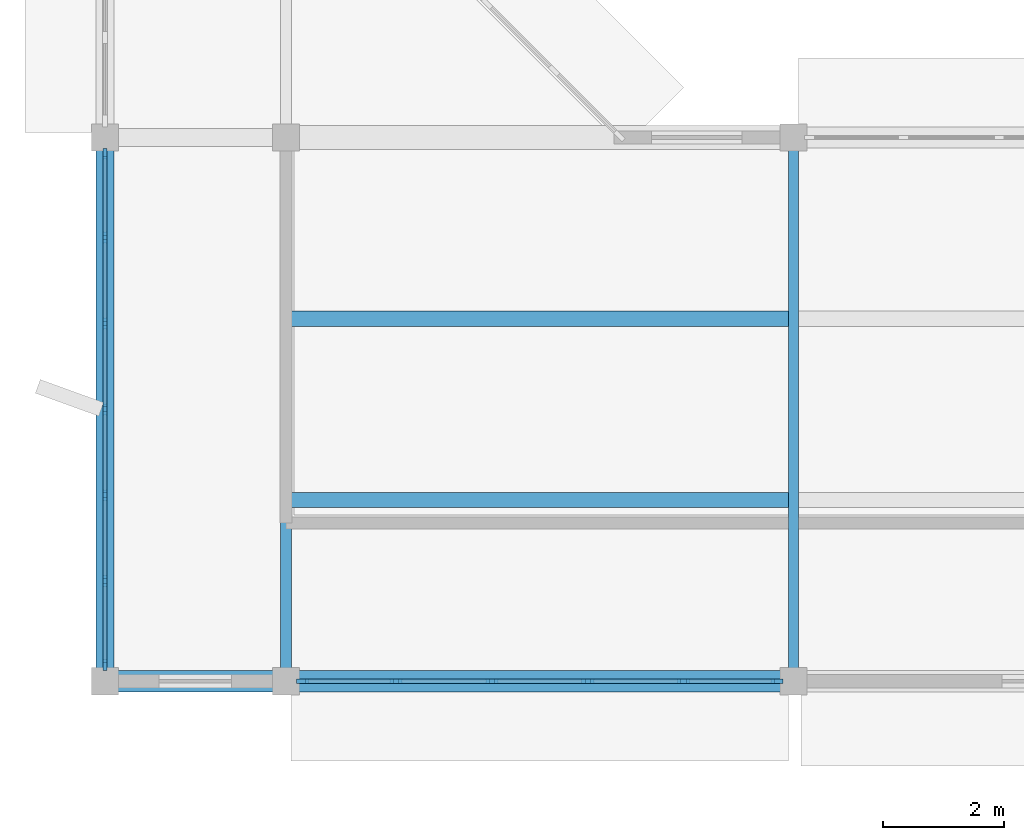
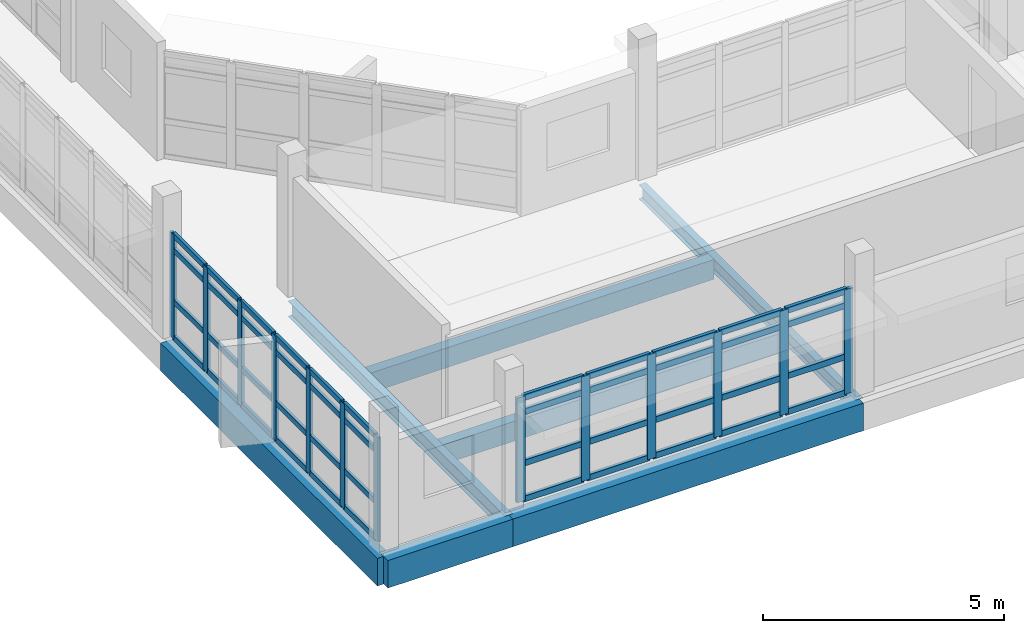
# One storey, part 2 of 42: 57 members, 7 beams, 2 elements without a shape of their own.
"""IFC4 building model written with IfcOpenShell, lengths in metres."""

from ifc_helpers import new_model, si_unit, direction, frame, origin, origin_2d, place, context, subcontext, project, spatial, rectangle, i_section, extrude, material, material_profile, profile_set, type_object, element, aggregate, save


model = new_model("IFC4")

# Units and contexts
model_context = context("Model", 3, precision=1e-05, world=origin(), true_north=direction((0.0, 1.0)))
body_context = subcontext(model_context, "Body", "Model", "MODEL_VIEW")
ifc_project = project(units=[si_unit("LENGTHUNIT", "METRE"), si_unit("AREAUNIT", "SQUARE_METRE"), si_unit("VOLUMEUNIT", "CUBIC_METRE"), si_unit("PLANEANGLEUNIT", "RADIAN"), si_unit("MASSUNIT", "GRAM", prefix="KILO")], contexts=[model_context])

# Site, building, storey
site_placement = place(None, origin())
site = spatial("IfcSite", under=ifc_project, at=site_placement, CompositionType="ELEMENT")
building_placement = place(site_placement, origin())
building = spatial("IfcBuilding", under=site, at=building_placement, Name="Vanh Quang Courtyard School", CompositionType="ELEMENT")
storey_placement = place(building_placement, frame((0.0, 0.0, 15.0)))
storey = spatial("IfcBuildingStorey", under=building, at=storey_placement, Name="L04", CompositionType="ELEMENT", Elevation=15.0)

# Beams
ifc_material_1 = material(Name="Concrete C35/45", Category="concrete")
ifc_material_profile_1 = material_profile(ifc_material_1, rectangle(XDim=0.35009765625, YDim=0.699951171875, at=origin_2d()), Name="RC-BM 350x700")
ifc_profile_set_1 = profile_set([ifc_material_profile_1], Name="Concrete C35/45")
beam_type_1 = type_object("IfcBeamType", Name="BM-RC-350x700", PredefinedType="BEAM", material=ifc_profile_set_1)
beam_1_placement = place(storey_placement, frame((37.800048828125, 32.39990234375, -0.610107421875), z_axis=(1.0, 0.0, 0.0), x_axis=(0.0, 1.0, 0.0)))
element("IfcBeam", 1, at=beam_1_placement, inside=storey, type_object=beam_type_1, Name="Beam B-04 (L04)", PredefinedType="BEAM", context=body_context, shape_type="SweptSolid", body=[
    extrude(rectangle(XDim=0.35009765625, YDim=0.699951171875, at=origin_2d()), origin(), (0.0, 0.0, 1.0), 3.0),
])
beam_2_placement = place(storey_placement, frame((40.800048828125, 32.39990234375, -0.610107421875), z_axis=(1.0, 0.0, 0.0), x_axis=(0.0, 1.0, 0.0)))
element("IfcBeam", 2, at=beam_2_placement, inside=storey, type_object=beam_type_1, Name="Beam B-04 (L04)", PredefinedType="BEAM", context=body_context, shape_type="SweptSolid", body=[
    extrude(rectangle(XDim=0.35009765625, YDim=0.699951171875, at=origin_2d()), origin(), (0.0, 0.0, 1.0), 8.39990234375),
])
ifc_material_profile_2 = material_profile(ifc_material_1, rectangle(XDim=0.300048828125, YDim=0.699951171875, at=origin_2d()), Name="RC-SP 300x700")
ifc_profile_set_2 = profile_set([ifc_material_profile_2], Name="Concrete C35/45")
beam_type_2 = type_object("IfcBeamType", Name="BM-SP-300x700", PredefinedType="SPANDREL", material=ifc_profile_set_2)
beam_3_placement = place(storey_placement, frame((37.800048828125, 32.39990234375, -0.610107421875), z_axis=(0.0, 1.0, 0.0), x_axis=(-1.0, 0.0, 0.0)))
element("IfcBeam", 3, at=beam_3_placement, inside=storey, type_object=beam_type_2, Name="Beam BS-01 (L04)", PredefinedType="SPANDREL", context=body_context, shape_type="SweptSolid", body=[
    extrude(rectangle(XDim=0.300048828125, YDim=0.699951171875, at=origin_2d()), origin(), (0.0, 0.0, 1.0), 9.0),
])
ifc_material_2 = material(Name="Structural steel EN 10025-2 S355J2", Category="steel")
ifc_material_profile_3 = material_profile(ifc_material_2, i_section(OverallWidth=0.169921875, OverallDepth=0.360107421875, WebThickness=0.008056640625, FlangeThickness=0.0126953125, FilletRadius=0.01806640625, at=origin_2d()), Name="IPE 360")
ifc_profile_set_3 = profile_set([ifc_material_profile_3], Name="Structural steel EN 10025-2 S355J2")
beam_type_3 = type_object("IfcBeamType", Name="BM-STL-IPE360", PredefinedType="BEAM", material=ifc_profile_set_3)
beam_4_placement = place(storey_placement, frame((49.199951171875, 32.39990234375, -0.43994140625), z_axis=(0.0, 1.0, 0.0), x_axis=(-1.0, 0.0, 0.0)))
element("IfcBeam", 4, at=beam_4_placement, inside=storey, type_object=beam_type_3, Name="Beam SB-06 (L04)", PredefinedType="BEAM", context=body_context, shape_type="SweptSolid", body=[
    extrude(i_section(OverallWidth=0.169921875, OverallDepth=0.360107421875, WebThickness=0.008056640625, FlangeThickness=0.0126953125, FilletRadius=0.01806640625, at=origin_2d()), origin(), (0.0, 0.0, 1.0), 9.0),
])
ifc_material_profile_4 = material_profile(ifc_material_2, i_section(OverallWidth=0.179931640625, OverallDepth=0.39990234375, WebThickness=0.008544921875, FlangeThickness=0.013427734375, FilletRadius=0.02099609375, at=origin_2d()), Name="IPE 400")
ifc_profile_set_4 = profile_set([ifc_material_profile_4], Name="Structural steel EN 10025-2 S355J2")
beam_type_4 = type_object("IfcBeamType", Name="BM-STL-IPE400", PredefinedType="BEAM", material=ifc_profile_set_4)
beam_5_placement = place(storey_placement, frame((40.800048828125, 32.39990234375, -0.4599609375), z_axis=(0.0, 1.0, 0.0), x_axis=(-1.0, 0.0, 0.0)))
element("IfcBeam", 5, at=beam_5_placement, inside=storey, type_object=beam_type_4, Name="Beam SB-05 (L04)", PredefinedType="BEAM", context=body_context, shape_type="SweptSolid", body=[
    extrude(i_section(OverallWidth=0.179931640625, OverallDepth=0.39990234375, WebThickness=0.008544921875, FlangeThickness=0.013427734375, FilletRadius=0.02099609375, at=origin_2d()), origin(), (0.0, 0.0, 1.0), 9.0),
])

# Curtain wall, members
ifc_material_3 = material(Name="Thermally broken aluminium unitised curtain wall", Category="aluminium")
curtain_wall_type_1 = type_object("IfcCurtainWallType", Name="CW-SYS-50", PredefinedType="NOTDEFINED", material=ifc_material_3)
curtain_wall_1_placement = place(storey_placement, origin())
curtain_wall_1 = element("IfcCurtainWall", 6, at=curtain_wall_1_placement, inside=storey, type_object=curtain_wall_type_1, Name="Curtain Wall CW-50 (L04)", PredefinedType="NOTDEFINED")
ifc_material_4 = material(Name="Anodised aluminium 6063-T6", Category="aluminium")
ifc_material_profile_5 = material_profile(ifc_material_4, rectangle(XDim=0.070068359375, YDim=0.179931640625, at=origin_2d()), Name="ALU-MUL 70x180")
ifc_profile_set_5 = profile_set([ifc_material_profile_5], Name="Anodised aluminium 6063-T6")
member_type_1 = type_object("IfcMemberType", Name="CW-MUL-70x180", PredefinedType="MULLION", material=ifc_profile_set_5)
member_1_placement = place(storey_placement, frame((37.800048828125, 32.66796875, 0.0), z_axis=(0.0, 0.0, 1.0), x_axis=(-1.0, 0.0, 0.0)))
member_1 = element("IfcMember", 7, at=member_1_placement, type_object=member_type_1, Name="CW-50 mullion 1", PredefinedType="MULLION", context=body_context, shape_type="SweptSolid", body=[
    extrude(rectangle(XDim=0.070068359375, YDim=0.179931640625, at=origin_2d()), origin(), (0.0, 0.0, 1.0), 2.64990234375),
])
member_2_placement = place(storey_placement, frame((37.800048828125, 34.055419921875, 0.0), z_axis=(0.0, 0.0, 1.0), x_axis=(-1.0, 0.0, 0.0)))
member_2 = element("IfcMember", 8, at=member_2_placement, type_object=member_type_1, Name="CW-50 mullion 2", PredefinedType="MULLION", context=body_context, shape_type="SweptSolid", body=[
    extrude(rectangle(XDim=0.070068359375, YDim=0.179931640625, at=origin_2d()), origin(), (0.0, 0.0, 1.0), 2.64990234375),
])
member_3_placement = place(storey_placement, frame((37.800048828125, 35.477783203125, 0.0), z_axis=(0.0, 0.0, 1.0), x_axis=(-1.0, 0.0, 0.0)))
member_3 = element("IfcMember", 9, at=member_3_placement, type_object=member_type_1, Name="CW-50 mullion 3", PredefinedType="MULLION", context=body_context, shape_type="SweptSolid", body=[
    extrude(rectangle(XDim=0.070068359375, YDim=0.179931640625, at=origin_2d()), origin(), (0.0, 0.0, 1.0), 2.64990234375),
])
member_4_placement = place(storey_placement, frame((37.800048828125, 36.89990234375, 0.0), z_axis=(0.0, 0.0, 1.0), x_axis=(-1.0, 0.0, 0.0)))
member_4 = element("IfcMember", 10, at=member_4_placement, type_object=member_type_1, Name="CW-50 mullion 4", PredefinedType="MULLION", context=body_context, shape_type="SweptSolid", body=[
    extrude(rectangle(XDim=0.070068359375, YDim=0.179931640625, at=origin_2d()), origin(), (0.0, 0.0, 1.0), 2.64990234375),
])
member_5_placement = place(storey_placement, frame((37.800048828125, 38.322265625, 0.0), z_axis=(0.0, 0.0, 1.0), x_axis=(-1.0, 0.0, 0.0)))
member_5 = element("IfcMember", 11, at=member_5_placement, type_object=member_type_1, Name="CW-50 mullion 5", PredefinedType="MULLION", context=body_context, shape_type="SweptSolid", body=[
    extrude(rectangle(XDim=0.070068359375, YDim=0.179931640625, at=origin_2d()), origin(), (0.0, 0.0, 1.0), 2.64990234375),
])
member_6_placement = place(storey_placement, frame((37.800048828125, 39.74462890625, 0.0), z_axis=(0.0, 0.0, 1.0), x_axis=(-1.0, 0.0, 0.0)))
member_6 = element("IfcMember", 12, at=member_6_placement, type_object=member_type_1, Name="CW-50 mullion 6", PredefinedType="MULLION", context=body_context, shape_type="SweptSolid", body=[
    extrude(rectangle(XDim=0.070068359375, YDim=0.179931640625, at=origin_2d()), origin(), (0.0, 0.0, 1.0), 2.64990234375),
])
member_7_placement = place(storey_placement, frame((37.800048828125, 41.132080078125, 0.0), z_axis=(0.0, 0.0, 1.0), x_axis=(-1.0, 0.0, 0.0)))
member_7 = element("IfcMember", 13, at=member_7_placement, type_object=member_type_1, Name="CW-50 mullion 7", PredefinedType="MULLION", context=body_context, shape_type="SweptSolid", body=[
    extrude(rectangle(XDim=0.070068359375, YDim=0.179931640625, at=origin_2d()), origin(), (0.0, 0.0, 1.0), 2.64990234375),
])

curtain_wall_type_2 = type_object("IfcCurtainWallType", Name="CW-SYS-19", PredefinedType="NOTDEFINED", material=ifc_material_3)
curtain_wall_2_placement = place(storey_placement, origin())
curtain_wall_2 = element("IfcCurtainWall", 14, at=curtain_wall_2_placement, inside=storey, type_object=curtain_wall_type_2, Name="Curtain Wall CW-19 (L04)", PredefinedType="NOTDEFINED")
ifc_material_profile_6 = material_profile(ifc_material_4, rectangle(XDim=0.080078125, YDim=0.199951171875, at=origin_2d()), Name="ALU-MUL 80x200")
ifc_profile_set_6 = profile_set([ifc_material_profile_6], Name="Anodised aluminium 6063-T6")
member_type_2 = type_object("IfcMemberType", Name="CW-MUL-80x200", PredefinedType="MULLION", material=ifc_profile_set_6)
member_8_placement = place(storey_placement, frame((48.927001953125, 32.39990234375, 0.0), z_axis=(0.0, 0.0, 1.0), x_axis=(0.0, -1.0, 0.0)))
member_8 = element("IfcMember", 15, at=member_8_placement, type_object=member_type_2, Name="CW-19 mullion 1", PredefinedType="MULLION", context=body_context, shape_type="SweptSolid", body=[
    extrude(rectangle(XDim=0.080078125, YDim=0.199951171875, at=origin_2d()), origin(), (0.0, 0.0, 1.0), 2.64990234375),
])
member_9_placement = place(storey_placement, frame((47.380126953125, 32.39990234375, 0.0), z_axis=(0.0, 0.0, 1.0), x_axis=(0.0, -1.0, 0.0)))
member_9 = element("IfcMember", 16, at=member_9_placement, type_object=member_type_2, Name="CW-19 mullion 2", PredefinedType="MULLION", context=body_context, shape_type="SweptSolid", body=[
    extrude(rectangle(XDim=0.080078125, YDim=0.199951171875, at=origin_2d()), origin(), (0.0, 0.0, 1.0), 2.64990234375),
])
member_10_placement = place(storey_placement, frame((45.79345703125, 32.39990234375, 0.0), z_axis=(0.0, 0.0, 1.0), x_axis=(0.0, -1.0, 0.0)))
member_10 = element("IfcMember", 17, at=member_10_placement, type_object=member_type_2, Name="CW-19 mullion 3", PredefinedType="MULLION", context=body_context, shape_type="SweptSolid", body=[
    extrude(rectangle(XDim=0.080078125, YDim=0.199951171875, at=origin_2d()), origin(), (0.0, 0.0, 1.0), 2.64990234375),
])
member_11_placement = place(storey_placement, frame((44.20654296875, 32.39990234375, 0.0), z_axis=(0.0, 0.0, 1.0), x_axis=(0.0, -1.0, 0.0)))
member_11 = element("IfcMember", 18, at=member_11_placement, type_object=member_type_2, Name="CW-19 mullion 4", PredefinedType="MULLION", context=body_context, shape_type="SweptSolid", body=[
    extrude(rectangle(XDim=0.080078125, YDim=0.199951171875, at=origin_2d()), origin(), (0.0, 0.0, 1.0), 2.64990234375),
])
member_12_placement = place(storey_placement, frame((42.619873046875, 32.39990234375, 0.0), z_axis=(0.0, 0.0, 1.0), x_axis=(0.0, -1.0, 0.0)))
member_12 = element("IfcMember", 19, at=member_12_placement, type_object=member_type_2, Name="CW-19 mullion 5", PredefinedType="MULLION", context=body_context, shape_type="SweptSolid", body=[
    extrude(rectangle(XDim=0.080078125, YDim=0.199951171875, at=origin_2d()), origin(), (0.0, 0.0, 1.0), 2.64990234375),
])
member_13_placement = place(storey_placement, frame((41.072998046875, 32.39990234375, 0.0), z_axis=(0.0, 0.0, 1.0), x_axis=(0.0, -1.0, 0.0)))
member_13 = element("IfcMember", 20, at=member_13_placement, type_object=member_type_2, Name="CW-19 mullion 6", PredefinedType="MULLION", context=body_context, shape_type="SweptSolid", body=[
    extrude(rectangle(XDim=0.080078125, YDim=0.199951171875, at=origin_2d()), origin(), (0.0, 0.0, 1.0), 2.64990234375),
])

# Member
ifc_material_profile_7 = material_profile(ifc_material_4, rectangle(XDim=0.070068359375, YDim=0.139892578125, at=origin_2d()), Name="ALU-TRN 70x140")
ifc_profile_set_7 = profile_set([ifc_material_profile_7], Name="Anodised aluminium 6063-T6")
member_type_3 = type_object("IfcMemberType", Name="CW-TRN-70x140", PredefinedType="USERDEFINED", material=ifc_profile_set_7)
member_14_placement = place(storey_placement, frame((37.800048828125, 32.702880859375, 0.034912109375), z_axis=(0.0, 1.0, 0.0), x_axis=(-1.0, 0.0, 0.0)))
member_14 = element("IfcMember", 21, at=member_14_placement, type_object=member_type_3, Name="CW-50 transom 1.1", ObjectType="TRANSOM", PredefinedType="USERDEFINED", context=body_context, shape_type="SweptSolid", body=[
    extrude(rectangle(XDim=0.070068359375, YDim=0.139892578125, at=origin_2d()), origin(), (0.0, 0.0, 1.0), 1.3173828125),
])

member_15_placement = place(storey_placement, frame((37.800048828125, 32.702880859375, 0.949951171875), z_axis=(0.0, 1.0, 0.0), x_axis=(-1.0, 0.0, 0.0)))
member_15 = element("IfcMember", 22, at=member_15_placement, type_object=member_type_3, Name="CW-50 transom 1.2", ObjectType="TRANSOM", PredefinedType="USERDEFINED", context=body_context, shape_type="SweptSolid", body=[
    extrude(rectangle(XDim=0.070068359375, YDim=0.139892578125, at=origin_2d()), origin(), (0.0, 0.0, 1.0), 1.3173828125),
])

member_16_placement = place(storey_placement, frame((37.800048828125, 32.702880859375, 2.25), z_axis=(0.0, 1.0, 0.0), x_axis=(-1.0, 0.0, 0.0)))
member_16 = element("IfcMember", 23, at=member_16_placement, type_object=member_type_3, Name="CW-50 transom 1.3", ObjectType="TRANSOM", PredefinedType="USERDEFINED", context=body_context, shape_type="SweptSolid", body=[
    extrude(rectangle(XDim=0.070068359375, YDim=0.139892578125, at=origin_2d()), origin(), (0.0, 0.0, 1.0), 1.3173828125),
])

member_17_placement = place(storey_placement, frame((37.800048828125, 32.702880859375, 2.614990234375), z_axis=(0.0, 1.0, 0.0), x_axis=(-1.0, 0.0, 0.0)))
member_17 = element("IfcMember", 24, at=member_17_placement, type_object=member_type_3, Name="CW-50 transom 1.4", ObjectType="TRANSOM", PredefinedType="USERDEFINED", context=body_context, shape_type="SweptSolid", body=[
    extrude(rectangle(XDim=0.070068359375, YDim=0.139892578125, at=origin_2d()), origin(), (0.0, 0.0, 1.0), 1.3173828125),
])

member_18_placement = place(storey_placement, frame((37.800048828125, 34.09033203125, 0.034912109375), z_axis=(0.0, 1.0, 0.0), x_axis=(-1.0, 0.0, 0.0)))
member_18 = element("IfcMember", 25, at=member_18_placement, type_object=member_type_3, Name="CW-50 transom 2.1", ObjectType="TRANSOM", PredefinedType="USERDEFINED", context=body_context, shape_type="SweptSolid", body=[
    extrude(rectangle(XDim=0.070068359375, YDim=0.139892578125, at=origin_2d()), origin(), (0.0, 0.0, 1.0), 1.352294921875),
])

member_19_placement = place(storey_placement, frame((37.800048828125, 34.09033203125, 0.949951171875), z_axis=(0.0, 1.0, 0.0), x_axis=(-1.0, 0.0, 0.0)))
member_19 = element("IfcMember", 26, at=member_19_placement, type_object=member_type_3, Name="CW-50 transom 2.2", ObjectType="TRANSOM", PredefinedType="USERDEFINED", context=body_context, shape_type="SweptSolid", body=[
    extrude(rectangle(XDim=0.070068359375, YDim=0.139892578125, at=origin_2d()), origin(), (0.0, 0.0, 1.0), 1.352294921875),
])

member_20_placement = place(storey_placement, frame((37.800048828125, 34.09033203125, 2.25), z_axis=(0.0, 1.0, 0.0), x_axis=(-1.0, 0.0, 0.0)))
member_20 = element("IfcMember", 27, at=member_20_placement, type_object=member_type_3, Name="CW-50 transom 2.3", ObjectType="TRANSOM", PredefinedType="USERDEFINED", context=body_context, shape_type="SweptSolid", body=[
    extrude(rectangle(XDim=0.070068359375, YDim=0.139892578125, at=origin_2d()), origin(), (0.0, 0.0, 1.0), 1.352294921875),
])

member_21_placement = place(storey_placement, frame((37.800048828125, 34.09033203125, 2.614990234375), z_axis=(0.0, 1.0, 0.0), x_axis=(-1.0, 0.0, 0.0)))
member_21 = element("IfcMember", 28, at=member_21_placement, type_object=member_type_3, Name="CW-50 transom 2.4", ObjectType="TRANSOM", PredefinedType="USERDEFINED", context=body_context, shape_type="SweptSolid", body=[
    extrude(rectangle(XDim=0.070068359375, YDim=0.139892578125, at=origin_2d()), origin(), (0.0, 0.0, 1.0), 1.352294921875),
])

member_22_placement = place(storey_placement, frame((37.800048828125, 35.5126953125, 0.034912109375), z_axis=(0.0, 1.0, 0.0), x_axis=(-1.0, 0.0, 0.0)))
member_22 = element("IfcMember", 29, at=member_22_placement, type_object=member_type_3, Name="CW-50 transom 3.1", ObjectType="TRANSOM", PredefinedType="USERDEFINED", context=body_context, shape_type="SweptSolid", body=[
    extrude(rectangle(XDim=0.070068359375, YDim=0.139892578125, at=origin_2d()), origin(), (0.0, 0.0, 1.0), 1.352294921875),
])

member_23_placement = place(storey_placement, frame((37.800048828125, 35.5126953125, 0.949951171875), z_axis=(0.0, 1.0, 0.0), x_axis=(-1.0, 0.0, 0.0)))
member_23 = element("IfcMember", 30, at=member_23_placement, type_object=member_type_3, Name="CW-50 transom 3.2", ObjectType="TRANSOM", PredefinedType="USERDEFINED", context=body_context, shape_type="SweptSolid", body=[
    extrude(rectangle(XDim=0.070068359375, YDim=0.139892578125, at=origin_2d()), origin(), (0.0, 0.0, 1.0), 1.352294921875),
])

member_24_placement = place(storey_placement, frame((37.800048828125, 35.5126953125, 2.25), z_axis=(0.0, 1.0, 0.0), x_axis=(-1.0, 0.0, 0.0)))
member_24 = element("IfcMember", 31, at=member_24_placement, type_object=member_type_3, Name="CW-50 transom 3.3", ObjectType="TRANSOM", PredefinedType="USERDEFINED", context=body_context, shape_type="SweptSolid", body=[
    extrude(rectangle(XDim=0.070068359375, YDim=0.139892578125, at=origin_2d()), origin(), (0.0, 0.0, 1.0), 1.352294921875),
])

member_25_placement = place(storey_placement, frame((37.800048828125, 35.5126953125, 2.614990234375), z_axis=(0.0, 1.0, 0.0), x_axis=(-1.0, 0.0, 0.0)))
member_25 = element("IfcMember", 32, at=member_25_placement, type_object=member_type_3, Name="CW-50 transom 3.4", ObjectType="TRANSOM", PredefinedType="USERDEFINED", context=body_context, shape_type="SweptSolid", body=[
    extrude(rectangle(XDim=0.070068359375, YDim=0.139892578125, at=origin_2d()), origin(), (0.0, 0.0, 1.0), 1.352294921875),
])

member_26_placement = place(storey_placement, frame((37.800048828125, 36.93505859375, 0.034912109375), z_axis=(0.0, 1.0, 0.0), x_axis=(-1.0, 0.0, 0.0)))
member_26 = element("IfcMember", 33, at=member_26_placement, type_object=member_type_3, Name="CW-50 transom 4.1", ObjectType="TRANSOM", PredefinedType="USERDEFINED", context=body_context, shape_type="SweptSolid", body=[
    extrude(rectangle(XDim=0.070068359375, YDim=0.139892578125, at=origin_2d()), origin(), (0.0, 0.0, 1.0), 1.352294921875),
])

member_27_placement = place(storey_placement, frame((37.800048828125, 36.93505859375, 0.949951171875), z_axis=(0.0, 1.0, 0.0), x_axis=(-1.0, 0.0, 0.0)))
member_27 = element("IfcMember", 34, at=member_27_placement, type_object=member_type_3, Name="CW-50 transom 4.2", ObjectType="TRANSOM", PredefinedType="USERDEFINED", context=body_context, shape_type="SweptSolid", body=[
    extrude(rectangle(XDim=0.070068359375, YDim=0.139892578125, at=origin_2d()), origin(), (0.0, 0.0, 1.0), 1.352294921875),
])

member_28_placement = place(storey_placement, frame((37.800048828125, 36.93505859375, 2.25), z_axis=(0.0, 1.0, 0.0), x_axis=(-1.0, 0.0, 0.0)))
member_28 = element("IfcMember", 35, at=member_28_placement, type_object=member_type_3, Name="CW-50 transom 4.3", ObjectType="TRANSOM", PredefinedType="USERDEFINED", context=body_context, shape_type="SweptSolid", body=[
    extrude(rectangle(XDim=0.070068359375, YDim=0.139892578125, at=origin_2d()), origin(), (0.0, 0.0, 1.0), 1.352294921875),
])

member_29_placement = place(storey_placement, frame((37.800048828125, 36.93505859375, 2.614990234375), z_axis=(0.0, 1.0, 0.0), x_axis=(-1.0, 0.0, 0.0)))
member_29 = element("IfcMember", 36, at=member_29_placement, type_object=member_type_3, Name="CW-50 transom 4.4", ObjectType="TRANSOM", PredefinedType="USERDEFINED", context=body_context, shape_type="SweptSolid", body=[
    extrude(rectangle(XDim=0.070068359375, YDim=0.139892578125, at=origin_2d()), origin(), (0.0, 0.0, 1.0), 1.352294921875),
])

member_30_placement = place(storey_placement, frame((37.800048828125, 38.357421875, 0.034912109375), z_axis=(0.0, 1.0, 0.0), x_axis=(-1.0, 0.0, 0.0)))
member_30 = element("IfcMember", 37, at=member_30_placement, type_object=member_type_3, Name="CW-50 transom 5.1", ObjectType="TRANSOM", PredefinedType="USERDEFINED", context=body_context, shape_type="SweptSolid", body=[
    extrude(rectangle(XDim=0.070068359375, YDim=0.139892578125, at=origin_2d()), origin(), (0.0, 0.0, 1.0), 1.352294921875),
])

member_31_placement = place(storey_placement, frame((37.800048828125, 38.357421875, 0.949951171875), z_axis=(0.0, 1.0, 0.0), x_axis=(-1.0, 0.0, 0.0)))
member_31 = element("IfcMember", 38, at=member_31_placement, type_object=member_type_3, Name="CW-50 transom 5.2", ObjectType="TRANSOM", PredefinedType="USERDEFINED", context=body_context, shape_type="SweptSolid", body=[
    extrude(rectangle(XDim=0.070068359375, YDim=0.139892578125, at=origin_2d()), origin(), (0.0, 0.0, 1.0), 1.352294921875),
])

member_32_placement = place(storey_placement, frame((37.800048828125, 38.357421875, 2.25), z_axis=(0.0, 1.0, 0.0), x_axis=(-1.0, 0.0, 0.0)))
member_32 = element("IfcMember", 39, at=member_32_placement, type_object=member_type_3, Name="CW-50 transom 5.3", ObjectType="TRANSOM", PredefinedType="USERDEFINED", context=body_context, shape_type="SweptSolid", body=[
    extrude(rectangle(XDim=0.070068359375, YDim=0.139892578125, at=origin_2d()), origin(), (0.0, 0.0, 1.0), 1.352294921875),
])

member_33_placement = place(storey_placement, frame((37.800048828125, 38.357421875, 2.614990234375), z_axis=(0.0, 1.0, 0.0), x_axis=(-1.0, 0.0, 0.0)))
member_33 = element("IfcMember", 40, at=member_33_placement, type_object=member_type_3, Name="CW-50 transom 5.4", ObjectType="TRANSOM", PredefinedType="USERDEFINED", context=body_context, shape_type="SweptSolid", body=[
    extrude(rectangle(XDim=0.070068359375, YDim=0.139892578125, at=origin_2d()), origin(), (0.0, 0.0, 1.0), 1.352294921875),
])

member_34_placement = place(storey_placement, frame((37.800048828125, 39.77978515625, 0.034912109375), z_axis=(0.0, 1.0, 0.0), x_axis=(-1.0, 0.0, 0.0)))
member_34 = element("IfcMember", 41, at=member_34_placement, type_object=member_type_3, Name="CW-50 transom 6.1", ObjectType="TRANSOM", PredefinedType="USERDEFINED", context=body_context, shape_type="SweptSolid", body=[
    extrude(rectangle(XDim=0.070068359375, YDim=0.139892578125, at=origin_2d()), origin(), (0.0, 0.0, 1.0), 1.317138671875),
])

member_35_placement = place(storey_placement, frame((37.800048828125, 39.77978515625, 0.949951171875), z_axis=(0.0, 1.0, 0.0), x_axis=(-1.0, 0.0, 0.0)))
member_35 = element("IfcMember", 42, at=member_35_placement, type_object=member_type_3, Name="CW-50 transom 6.2", ObjectType="TRANSOM", PredefinedType="USERDEFINED", context=body_context, shape_type="SweptSolid", body=[
    extrude(rectangle(XDim=0.070068359375, YDim=0.139892578125, at=origin_2d()), origin(), (0.0, 0.0, 1.0), 1.317138671875),
])

member_36_placement = place(storey_placement, frame((37.800048828125, 39.77978515625, 2.25), z_axis=(0.0, 1.0, 0.0), x_axis=(-1.0, 0.0, 0.0)))
member_36 = element("IfcMember", 43, at=member_36_placement, type_object=member_type_3, Name="CW-50 transom 6.3", ObjectType="TRANSOM", PredefinedType="USERDEFINED", context=body_context, shape_type="SweptSolid", body=[
    extrude(rectangle(XDim=0.070068359375, YDim=0.139892578125, at=origin_2d()), origin(), (0.0, 0.0, 1.0), 1.317138671875),
])

member_37_placement = place(storey_placement, frame((37.800048828125, 39.77978515625, 2.614990234375), z_axis=(0.0, 1.0, 0.0), x_axis=(-1.0, 0.0, 0.0)))
member_37 = element("IfcMember", 44, at=member_37_placement, type_object=member_type_3, Name="CW-50 transom 6.4", ObjectType="TRANSOM", PredefinedType="USERDEFINED", context=body_context, shape_type="SweptSolid", body=[
    extrude(rectangle(XDim=0.070068359375, YDim=0.139892578125, at=origin_2d()), origin(), (0.0, 0.0, 1.0), 1.317138671875),
])

aggregate(curtain_wall_1, [member_1, member_2, member_3, member_4, member_5, member_6, member_7, member_14, member_15, member_16, member_17, member_18, member_19, member_20, member_21, member_22, member_23, member_24, member_25, member_26, member_27, member_28, member_29, member_30, member_31, member_32, member_33, member_34, member_35, member_36, member_37])

ifc_material_profile_8 = material_profile(ifc_material_4, rectangle(XDim=0.080078125, YDim=0.14990234375, at=origin_2d()), Name="ALU-TRN 80x150")
ifc_profile_set_8 = profile_set([ifc_material_profile_8], Name="Anodised aluminium 6063-T6")
member_type_4 = type_object("IfcMemberType", Name="CW-TRN-80x150", PredefinedType="USERDEFINED", material=ifc_profile_set_8)
member_38_placement = place(storey_placement, frame((48.886962890625, 32.39990234375, 0.0400390625), z_axis=(-1.0, 0.0, 0.0), x_axis=(0.0, -1.0, 0.0)))
member_38 = element("IfcMember", 45, at=member_38_placement, type_object=member_type_4, Name="CW-19 transom 1.1", ObjectType="TRANSOM", PredefinedType="USERDEFINED", context=body_context, shape_type="SweptSolid", body=[
    extrude(rectangle(XDim=0.080078125, YDim=0.14990234375, at=origin_2d()), origin(), (0.0, 0.0, 1.0), 1.466796875),
])

member_39_placement = place(storey_placement, frame((48.886962890625, 32.39990234375, 0.949951171875), z_axis=(-1.0, 0.0, 0.0), x_axis=(0.0, -1.0, 0.0)))
member_39 = element("IfcMember", 46, at=member_39_placement, type_object=member_type_4, Name="CW-19 transom 1.2", ObjectType="TRANSOM", PredefinedType="USERDEFINED", context=body_context, shape_type="SweptSolid", body=[
    extrude(rectangle(XDim=0.080078125, YDim=0.14990234375, at=origin_2d()), origin(), (0.0, 0.0, 1.0), 1.466796875),
])

member_40_placement = place(storey_placement, frame((48.886962890625, 32.39990234375, 2.25), z_axis=(-1.0, 0.0, 0.0), x_axis=(0.0, -1.0, 0.0)))
member_40 = element("IfcMember", 47, at=member_40_placement, type_object=member_type_4, Name="CW-19 transom 1.3", ObjectType="TRANSOM", PredefinedType="USERDEFINED", context=body_context, shape_type="SweptSolid", body=[
    extrude(rectangle(XDim=0.080078125, YDim=0.14990234375, at=origin_2d()), origin(), (0.0, 0.0, 1.0), 1.466796875),
])

member_41_placement = place(storey_placement, frame((48.886962890625, 32.39990234375, 2.610107421875), z_axis=(-1.0, 0.0, 0.0), x_axis=(0.0, -1.0, 0.0)))
member_41 = element("IfcMember", 48, at=member_41_placement, type_object=member_type_4, Name="CW-19 transom 1.4", ObjectType="TRANSOM", PredefinedType="USERDEFINED", context=body_context, shape_type="SweptSolid", body=[
    extrude(rectangle(XDim=0.080078125, YDim=0.14990234375, at=origin_2d()), origin(), (0.0, 0.0, 1.0), 1.466796875),
])

member_42_placement = place(storey_placement, frame((47.340087890625, 32.39990234375, 0.0400390625), z_axis=(-1.0, 0.0, 0.0), x_axis=(0.0, -1.0, 0.0)))
member_42 = element("IfcMember", 49, at=member_42_placement, type_object=member_type_4, Name="CW-19 transom 2.1", ObjectType="TRANSOM", PredefinedType="USERDEFINED", context=body_context, shape_type="SweptSolid", body=[
    extrude(rectangle(XDim=0.080078125, YDim=0.14990234375, at=origin_2d()), origin(), (0.0, 0.0, 1.0), 1.506591796875),
])

member_43_placement = place(storey_placement, frame((47.340087890625, 32.39990234375, 0.949951171875), z_axis=(-1.0, 0.0, 0.0), x_axis=(0.0, -1.0, 0.0)))
member_43 = element("IfcMember", 50, at=member_43_placement, type_object=member_type_4, Name="CW-19 transom 2.2", ObjectType="TRANSOM", PredefinedType="USERDEFINED", context=body_context, shape_type="SweptSolid", body=[
    extrude(rectangle(XDim=0.080078125, YDim=0.14990234375, at=origin_2d()), origin(), (0.0, 0.0, 1.0), 1.506591796875),
])

member_44_placement = place(storey_placement, frame((47.340087890625, 32.39990234375, 2.25), z_axis=(-1.0, 0.0, 0.0), x_axis=(0.0, -1.0, 0.0)))
member_44 = element("IfcMember", 51, at=member_44_placement, type_object=member_type_4, Name="CW-19 transom 2.3", ObjectType="TRANSOM", PredefinedType="USERDEFINED", context=body_context, shape_type="SweptSolid", body=[
    extrude(rectangle(XDim=0.080078125, YDim=0.14990234375, at=origin_2d()), origin(), (0.0, 0.0, 1.0), 1.506591796875),
])

member_45_placement = place(storey_placement, frame((47.340087890625, 32.39990234375, 2.610107421875), z_axis=(-1.0, 0.0, 0.0), x_axis=(0.0, -1.0, 0.0)))
member_45 = element("IfcMember", 52, at=member_45_placement, type_object=member_type_4, Name="CW-19 transom 2.4", ObjectType="TRANSOM", PredefinedType="USERDEFINED", context=body_context, shape_type="SweptSolid", body=[
    extrude(rectangle(XDim=0.080078125, YDim=0.14990234375, at=origin_2d()), origin(), (0.0, 0.0, 1.0), 1.506591796875),
])

member_46_placement = place(storey_placement, frame((45.75341796875, 32.39990234375, 0.0400390625), z_axis=(-1.0, 0.0, 0.0), x_axis=(0.0, -1.0, 0.0)))
member_46 = element("IfcMember", 53, at=member_46_placement, type_object=member_type_4, Name="CW-19 transom 3.1", ObjectType="TRANSOM", PredefinedType="USERDEFINED", context=body_context, shape_type="SweptSolid", body=[
    extrude(rectangle(XDim=0.080078125, YDim=0.14990234375, at=origin_2d()), origin(), (0.0, 0.0, 1.0), 1.5068359375),
])

member_47_placement = place(storey_placement, frame((45.75341796875, 32.39990234375, 0.949951171875), z_axis=(-1.0, 0.0, 0.0), x_axis=(0.0, -1.0, 0.0)))
member_47 = element("IfcMember", 54, at=member_47_placement, type_object=member_type_4, Name="CW-19 transom 3.2", ObjectType="TRANSOM", PredefinedType="USERDEFINED", context=body_context, shape_type="SweptSolid", body=[
    extrude(rectangle(XDim=0.080078125, YDim=0.14990234375, at=origin_2d()), origin(), (0.0, 0.0, 1.0), 1.5068359375),
])

member_48_placement = place(storey_placement, frame((45.75341796875, 32.39990234375, 2.25), z_axis=(-1.0, 0.0, 0.0), x_axis=(0.0, -1.0, 0.0)))
member_48 = element("IfcMember", 55, at=member_48_placement, type_object=member_type_4, Name="CW-19 transom 3.3", ObjectType="TRANSOM", PredefinedType="USERDEFINED", context=body_context, shape_type="SweptSolid", body=[
    extrude(rectangle(XDim=0.080078125, YDim=0.14990234375, at=origin_2d()), origin(), (0.0, 0.0, 1.0), 1.5068359375),
])

member_49_placement = place(storey_placement, frame((45.75341796875, 32.39990234375, 2.610107421875), z_axis=(-1.0, 0.0, 0.0), x_axis=(0.0, -1.0, 0.0)))
member_49 = element("IfcMember", 56, at=member_49_placement, type_object=member_type_4, Name="CW-19 transom 3.4", ObjectType="TRANSOM", PredefinedType="USERDEFINED", context=body_context, shape_type="SweptSolid", body=[
    extrude(rectangle(XDim=0.080078125, YDim=0.14990234375, at=origin_2d()), origin(), (0.0, 0.0, 1.0), 1.5068359375),
])

member_50_placement = place(storey_placement, frame((44.16650390625, 32.39990234375, 0.0400390625), z_axis=(-1.0, 0.0, 0.0), x_axis=(0.0, -1.0, 0.0)))
member_50 = element("IfcMember", 57, at=member_50_placement, type_object=member_type_4, Name="CW-19 transom 4.1", ObjectType="TRANSOM", PredefinedType="USERDEFINED", context=body_context, shape_type="SweptSolid", body=[
    extrude(rectangle(XDim=0.080078125, YDim=0.14990234375, at=origin_2d()), origin(), (0.0, 0.0, 1.0), 1.506591796875),
])

member_51_placement = place(storey_placement, frame((44.16650390625, 32.39990234375, 0.949951171875), z_axis=(-1.0, 0.0, 0.0), x_axis=(0.0, -1.0, 0.0)))
member_51 = element("IfcMember", 58, at=member_51_placement, type_object=member_type_4, Name="CW-19 transom 4.2", ObjectType="TRANSOM", PredefinedType="USERDEFINED", context=body_context, shape_type="SweptSolid", body=[
    extrude(rectangle(XDim=0.080078125, YDim=0.14990234375, at=origin_2d()), origin(), (0.0, 0.0, 1.0), 1.506591796875),
])

member_52_placement = place(storey_placement, frame((44.16650390625, 32.39990234375, 2.25), z_axis=(-1.0, 0.0, 0.0), x_axis=(0.0, -1.0, 0.0)))
member_52 = element("IfcMember", 59, at=member_52_placement, type_object=member_type_4, Name="CW-19 transom 4.3", ObjectType="TRANSOM", PredefinedType="USERDEFINED", context=body_context, shape_type="SweptSolid", body=[
    extrude(rectangle(XDim=0.080078125, YDim=0.14990234375, at=origin_2d()), origin(), (0.0, 0.0, 1.0), 1.506591796875),
])

member_53_placement = place(storey_placement, frame((44.16650390625, 32.39990234375, 2.610107421875), z_axis=(-1.0, 0.0, 0.0), x_axis=(0.0, -1.0, 0.0)))
member_53 = element("IfcMember", 60, at=member_53_placement, type_object=member_type_4, Name="CW-19 transom 4.4", ObjectType="TRANSOM", PredefinedType="USERDEFINED", context=body_context, shape_type="SweptSolid", body=[
    extrude(rectangle(XDim=0.080078125, YDim=0.14990234375, at=origin_2d()), origin(), (0.0, 0.0, 1.0), 1.506591796875),
])

member_54_placement = place(storey_placement, frame((42.579833984375, 32.39990234375, 0.0400390625), z_axis=(-1.0, 0.0, 0.0), x_axis=(0.0, -1.0, 0.0)))
member_54 = element("IfcMember", 61, at=member_54_placement, type_object=member_type_4, Name="CW-19 transom 5.1", ObjectType="TRANSOM", PredefinedType="USERDEFINED", context=body_context, shape_type="SweptSolid", body=[
    extrude(rectangle(XDim=0.080078125, YDim=0.14990234375, at=origin_2d()), origin(), (0.0, 0.0, 1.0), 1.466796875),
])

member_55_placement = place(storey_placement, frame((42.579833984375, 32.39990234375, 0.949951171875), z_axis=(-1.0, 0.0, 0.0), x_axis=(0.0, -1.0, 0.0)))
member_55 = element("IfcMember", 62, at=member_55_placement, type_object=member_type_4, Name="CW-19 transom 5.2", ObjectType="TRANSOM", PredefinedType="USERDEFINED", context=body_context, shape_type="SweptSolid", body=[
    extrude(rectangle(XDim=0.080078125, YDim=0.14990234375, at=origin_2d()), origin(), (0.0, 0.0, 1.0), 1.466796875),
])

member_56_placement = place(storey_placement, frame((42.579833984375, 32.39990234375, 2.25), z_axis=(-1.0, 0.0, 0.0), x_axis=(0.0, -1.0, 0.0)))
member_56 = element("IfcMember", 63, at=member_56_placement, type_object=member_type_4, Name="CW-19 transom 5.3", ObjectType="TRANSOM", PredefinedType="USERDEFINED", context=body_context, shape_type="SweptSolid", body=[
    extrude(rectangle(XDim=0.080078125, YDim=0.14990234375, at=origin_2d()), origin(), (0.0, 0.0, 1.0), 1.466796875),
])

member_57_placement = place(storey_placement, frame((42.579833984375, 32.39990234375, 2.610107421875), z_axis=(-1.0, 0.0, 0.0), x_axis=(0.0, -1.0, 0.0)))
member_57 = element("IfcMember", 64, at=member_57_placement, type_object=member_type_4, Name="CW-19 transom 5.4", ObjectType="TRANSOM", PredefinedType="USERDEFINED", context=body_context, shape_type="SweptSolid", body=[
    extrude(rectangle(XDim=0.080078125, YDim=0.14990234375, at=origin_2d()), origin(), (0.0, 0.0, 1.0), 1.466796875),
])

aggregate(curtain_wall_2, [member_8, member_9, member_10, member_11, member_12, member_13, member_38, member_39, member_40, member_41, member_42, member_43, member_44, member_45, member_46, member_47, member_48, member_49, member_50, member_51, member_52, member_53, member_54, member_55, member_56, member_57])

# Beams
ifc_material_5 = material(Name="Concrete C30/37", Category="concrete")
ifc_material_profile_9 = material_profile(ifc_material_5, rectangle(XDim=0.25, YDim=0.5, at=origin_2d()), Name="RC-JST 250x500")
ifc_profile_set_9 = profile_set([ifc_material_profile_9], Name="Concrete C30/37")
beam_type_5 = type_object("IfcBeamType", Name="JST-RC-250x500", PredefinedType="JOIST", material=ifc_profile_set_9)
for number, where, z_axis, x_axis, name in (
    (65, (40.889892578125, 35.39990234375, -0.510009765625), (1.0, 0.0, 0.0), (0.0, 1.0, 0.0), "Beam BJ-01 (L04)"),
    (66, (40.889892578125, 38.39990234375, -0.510009765625), (1.0, 0.0, 0.0), (0.0, 1.0, 0.0), "Beam BJ-01 (L04)"),
):
    element("IfcBeam", number, at=place(storey_placement, frame(where, z_axis=z_axis, x_axis=x_axis)), inside=storey, type_object=beam_type_5, Name=name, PredefinedType="JOIST", context=body_context, shape_type="SweptSolid", body=[
        extrude(rectangle(XDim=0.25, YDim=0.5, at=origin_2d()), origin(), (0.0, 0.0, 1.0), 8.22509765625),
    ])

save(model, "model.ifc")
